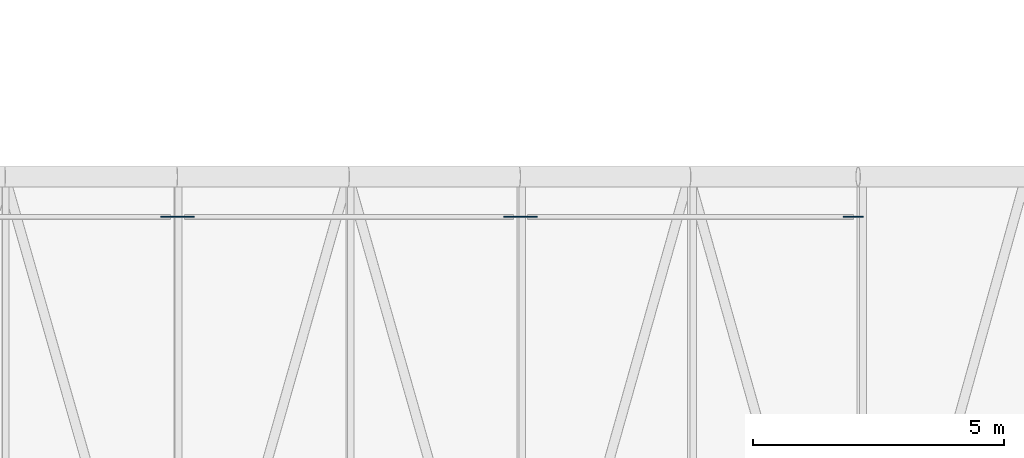
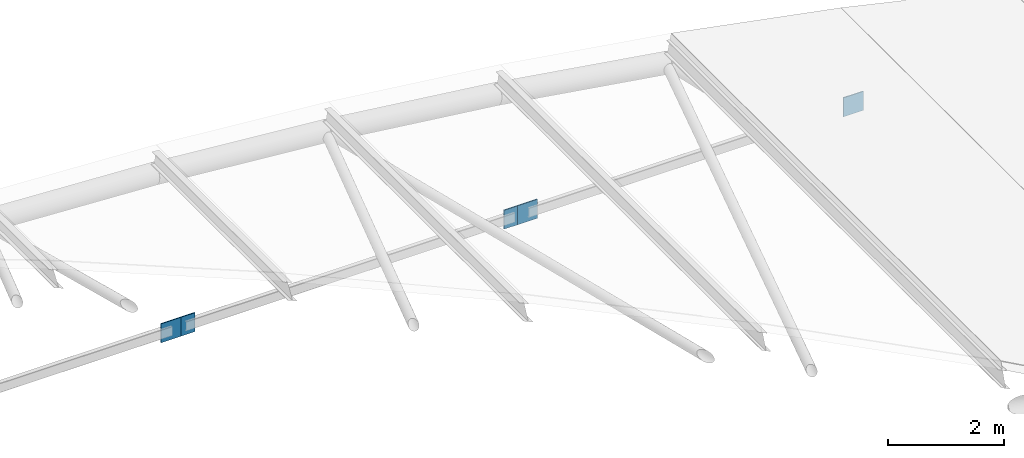
# One storey, part 83 of 91: 5 discrete accessories.
"""IFC4 building model written with IfcOpenShell, lengths in metres."""

from ifc_helpers import new_model, si_unit, direction, frame, origin, origin_2d, place, context, subcontext, project, spatial, rectangle, extrude, material, material_profile, profile_set, type_object, element, save


model = new_model("IFC4")

# Units and contexts
model_context = context("Model", 3, precision=1e-05, world=origin(), true_north=direction((0.0, 1.0)))
body_context = subcontext(model_context, "Body", "Model", "MODEL_VIEW")
ifc_project = project(units=[si_unit("LENGTHUNIT", "METRE"), si_unit("AREAUNIT", "SQUARE_METRE"), si_unit("VOLUMEUNIT", "CUBIC_METRE"), si_unit("PLANEANGLEUNIT", "RADIAN"), si_unit("MASSUNIT", "GRAM", prefix="KILO")], contexts=[model_context])

# Site, building, storey
site_placement = place(None, origin())
site = spatial("IfcSite", under=ifc_project, at=site_placement, CompositionType="ELEMENT")
building_placement = place(site_placement, origin())
building = spatial("IfcBuilding", under=site, at=building_placement, Name="Ravi Spectrum Wholesale Market", CompositionType="ELEMENT")
storey_placement = place(building_placement, frame((0.0, 0.0, 16.199951171875)))
storey = spatial("IfcBuildingStorey", under=building, at=storey_placement, Name="ROOF PLANT LEVEL", CompositionType="ELEMENT", Elevation=16.199951171875)

# Discrete accessories
ifc_material = material(Name="Steel S355", Category="steel")
ifc_material_profile = material_profile(ifc_material, rectangle(XDim=0.39990234375, YDim=0.02001953125, at=origin_2d()))
ifc_profile_set = profile_set([ifc_material_profile], Name="Steel S355")
discrete_accessory_type = type_object("IfcDiscreteAccessoryType", Name="Gusset plate 400x400x20", PredefinedType="BRACKET", material=ifc_profile_set)
for number, where, z_axis, x_axis, name in (
    (1, (76.733154296875, 197.199951171875, -0.199951171875), (0.0, 0.0, 1.0), (1.0, 0.0, 0.0), "Gusset plate"),
    (2, (77.006103515625, 197.199951171875, -0.199951171875), (0.0, 0.0, 1.0), (1.0, 0.0, 0.0), "Gusset plate"),
    (3, (83.56982421875, 197.199951171875, -0.199951171875), (0.0, 0.0, 1.0), (1.0, 0.0, 0.0), "Gusset plate"),
    (4, (83.8427734375, 197.199951171875, -0.199951171875), (0.0, 0.0, 1.0), (1.0, 0.0, 0.0), "Gusset plate"),
    (5, (90.341552734375, 197.199951171875, -0.199951171875), (0.0, 0.0, 1.0), (1.0, 0.0, 0.0), "Gusset plate"),
):
    element("IfcDiscreteAccessory", number, at=place(storey_placement, frame(where, z_axis=z_axis, x_axis=x_axis)), inside=storey, type_object=discrete_accessory_type, Name=name, PredefinedType="BRACKET", context=body_context, shape_type="SweptSolid", body=[
        extrude(rectangle(XDim=0.39990234375, YDim=0.02001953125, at=origin_2d()), origin(), (0.0, 0.0, 1.0), 0.39990234375),
    ])

save(model, "model.ifc")
